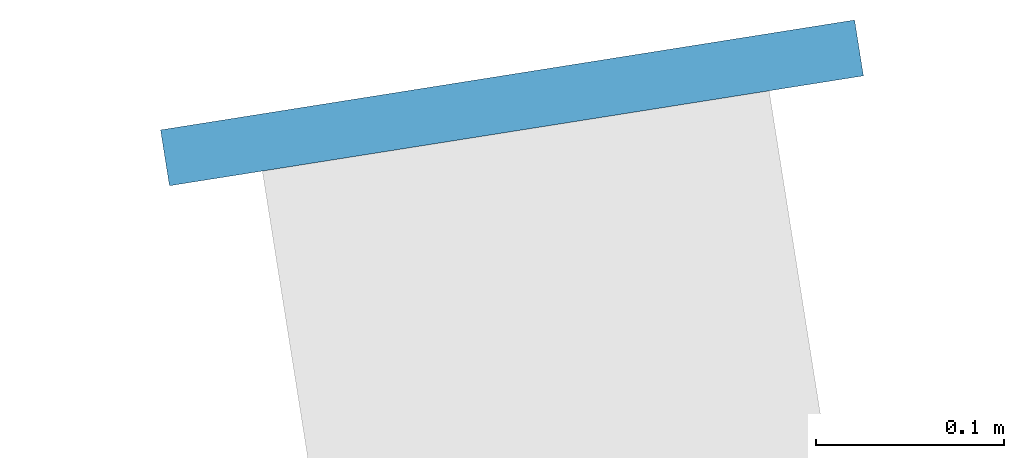
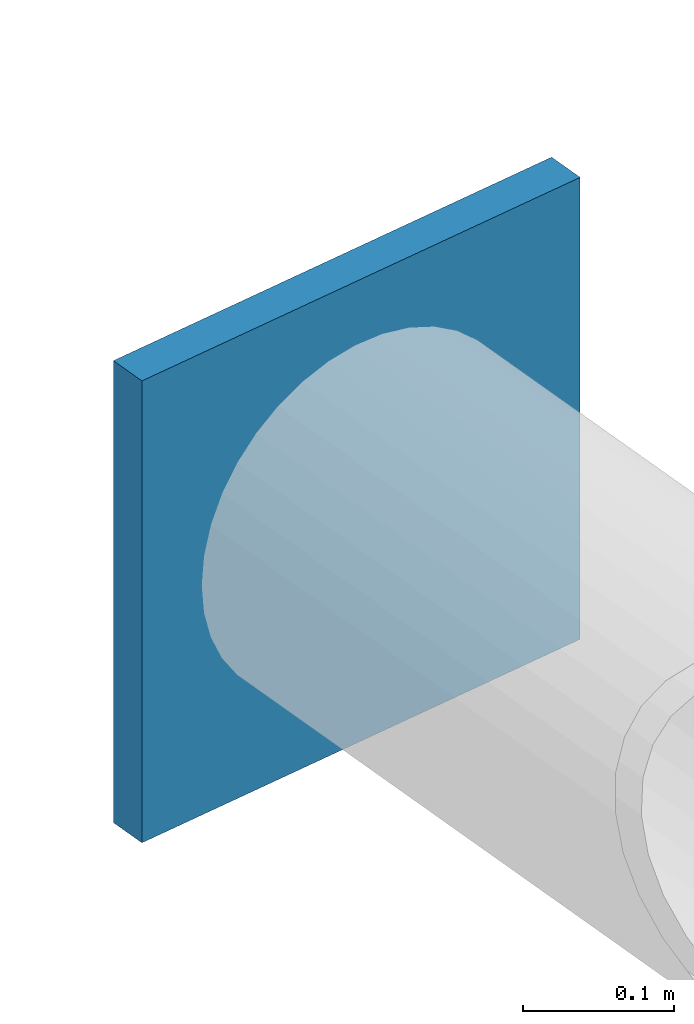
# One storey, part 11 of 18: 1 discrete accessory.
"""IFC4 building model written with IfcOpenShell, lengths in metres."""

from ifc_helpers import new_model, si_unit, direction, frame, origin, origin_2d, place, context, subcontext, project, spatial, rectangle, extrude, material, element, save


model = new_model("IFC4")

# Units and contexts
model_context = context("Model", 3, precision=1e-05, world=origin(), true_north=direction((0.0, 1.0)))
body_context = subcontext(model_context, "Body", "Model", "MODEL_VIEW")
ifc_project = project(units=[si_unit("LENGTHUNIT", "METRE"), si_unit("AREAUNIT", "SQUARE_METRE"), si_unit("VOLUMEUNIT", "CUBIC_METRE"), si_unit("PLANEANGLEUNIT", "RADIAN"), si_unit("MASSUNIT", "GRAM", prefix="KILO")], contexts=[model_context])

# Site, building, storey
site_placement = place(None, origin())
site = spatial("IfcSite", under=ifc_project, at=site_placement, CompositionType="ELEMENT")
building_placement = place(site_placement, origin())
building = spatial("IfcBuilding", under=site, at=building_placement, Name="Entoto Ring Tower", CompositionType="ELEMENT")
storey_placement = place(building_placement, frame((0.0, 0.0, 352.0)))
storey = spatial("IfcBuildingStorey", under=building, at=storey_placement, Name="L81", CompositionType="ELEMENT", Elevation=352.0)

# Discrete accessory
ifc_material = material(Name="Steel S355", Category="steel")
discrete_accessory_placement = place(storey_placement, frame((84.89794921875, 112.21337890625, 3.52685546875), z_axis=(0.0, 0.0, 1.0), x_axis=(-0.15643446504, 0.987688340595, 0.0)))
element("IfcDiscreteAccessory", 1, at=discrete_accessory_placement, inside=storey, material=ifc_material, Name="Node strut end plate DS2 ring 26 06", PredefinedType="BRACKET", context=body_context, shape_type="SweptSolid", body=[
    extrude(rectangle(XDim=0.030029296875, YDim=0.373046875, at=origin_2d()), origin(), (0.0, 0.0, 1.0), 0.373046875),
])

save(model, "model.ifc")
